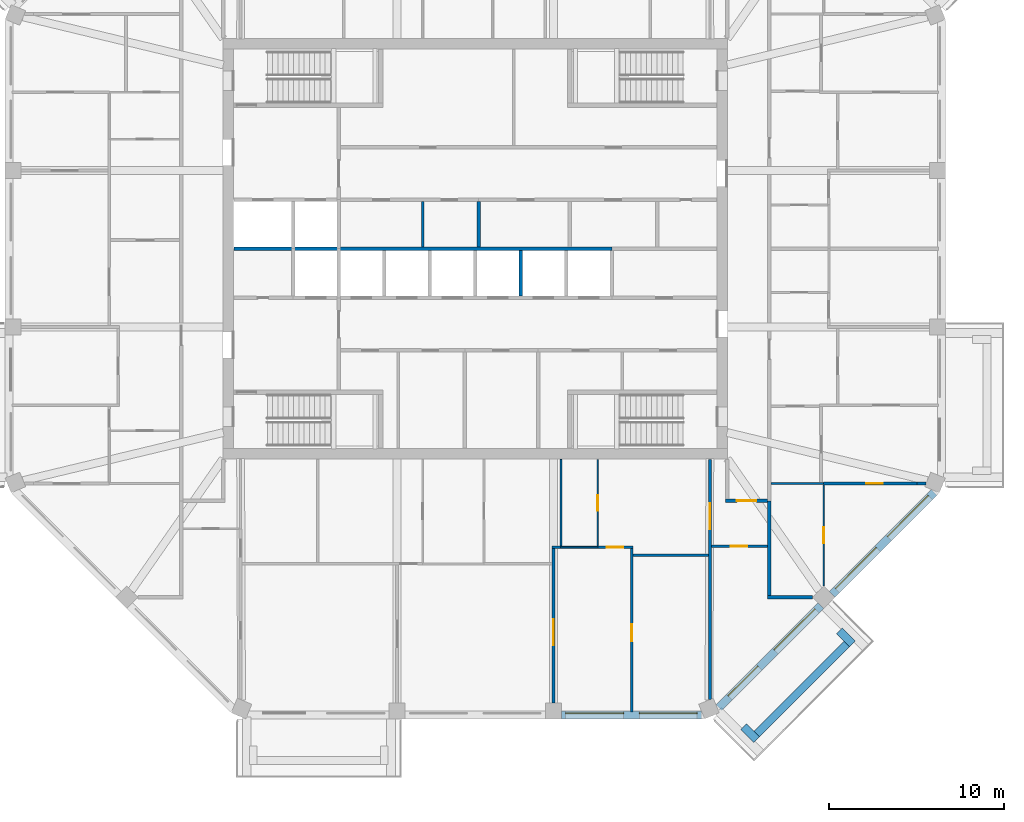
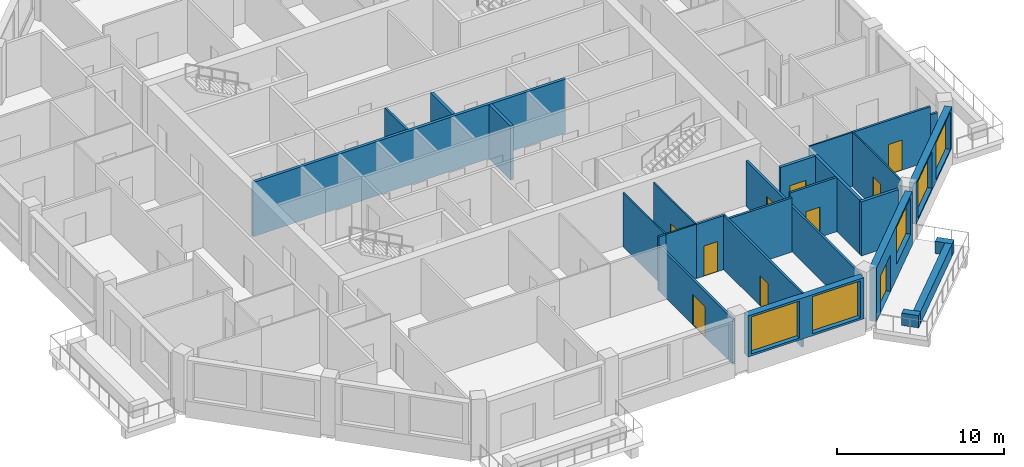
# One storey, part 5 of 11: 27 walls, 10 doors, 5 windows, 15 openings.
"""IFC4 building model written with IfcOpenShell, lengths in metres."""

from ifc_helpers import new_model, si_unit, direction, frame, frame_2d, origin, place, context, subcontext, project, spatial, rectangle, extrude, material, layer, layer_set, type_object, element, fill, save


model = new_model("IFC4")

# Units and contexts
model_context = context("Model", 3, precision=1e-05, world=origin(), true_north=direction((0.0, 1.0)))
body_context = subcontext(model_context, "Body", "Model", "MODEL_VIEW")
ifc_project = project(units=[si_unit("LENGTHUNIT", "METRE"), si_unit("AREAUNIT", "SQUARE_METRE"), si_unit("VOLUMEUNIT", "CUBIC_METRE"), si_unit("PLANEANGLEUNIT", "RADIAN"), si_unit("MASSUNIT", "GRAM", prefix="KILO")], contexts=[model_context])

# Site, building, storey
site_placement = place(None, origin())
site = spatial("IfcSite", under=ifc_project, at=site_placement, CompositionType="ELEMENT")
building_placement = place(site_placement, origin())
building = spatial("IfcBuilding", under=site, at=building_placement, Name="Msitu Wima Residences", CompositionType="ELEMENT")
storey_placement = place(building_placement, frame((0.0, 0.0, 268.5)))
storey = spatial("IfcBuildingStorey", under=building, at=storey_placement, Name="L62", CompositionType="ELEMENT", Elevation=268.5)

# Walls
ifc_material_1 = material(Name="Facing brick")
ifc_layer_1 = layer(ifc_material_1, 0.06494140625, Name="Facing brick")
ifc_material_2 = material(Name="Concrete C40/50", Category="concrete")
ifc_layer_2 = layer(ifc_material_2, 0.156005859375, Name="Concrete C40/50")
ifc_material_3 = material(Name="Waterproofing membrane")
ifc_layer_3 = layer(ifc_material_3, 0.00390625, Name="Waterproofing membrane")
ifc_material_4 = material(Name="Planting soil and planting")
ifc_layer_4 = layer(ifc_material_4, 0.22509765625, Name="Planting soil and planting")
ifc_layer_set_1 = layer_set([ifc_layer_1, ifc_layer_2, ifc_layer_3, ifc_layer_4], Name="Concrete C40/50")
wall_type_1 = type_object("IfcWallType", Name="Balcony planter PLANTER PL450", PredefinedType="USERDEFINED", material=ifc_layer_set_1)
wall_1_placement = place(storey_placement, frame((16.0751953125, -27.725830078125, 0.0), z_axis=(0.0, 0.0, 1.0), x_axis=(0.707106781187, 0.707106781187, 0.0)))
element("IfcWall", 1, at=wall_1_placement, inside=storey, type_object=wall_type_1, Name="Balcony planter SE0 L62", ObjectType="PLANTER", PredefinedType="USERDEFINED", context=body_context, shape_type="SweptSolid", body=[
    extrude(rectangle(XDim=7.288330078125, YDim=0.449951171875, at=frame_2d((3.64404296875, 0.0))), origin(), (0.0, 0.0, 1.0), 0.89990234375),
])
for number, where, z_axis, x_axis, name in (
    (2, (15.332763671875, -27.301513671875, 0.0), (0.0, 0.0, 1.0), (0.707106781187, -0.707106781187, 0.0), "Balcony planter SE0 L62"),
    (3, (20.804443359375, -21.829833984375, 0.0), (0.0, 0.0, 1.0), (0.707106781187, -0.707106781187, 0.0), "Balcony planter SE0 L62"),
):
    element("IfcWall", number, at=place(storey_placement, frame(where, z_axis=z_axis, x_axis=x_axis)), inside=storey, type_object=wall_type_1, Name=name, ObjectType="PLANTER", PredefinedType="USERDEFINED", context=body_context, shape_type="SweptSolid", body=[
        extrude(rectangle(XDim=1.050048828125, YDim=0.449951171875, at=frame_2d((0.52490234375, 0.0))), origin(), (0.0, 0.0, 1.0), 0.89990234375),
    ])

# Wall, openings, windows
ifc_material_5 = material(Name="Brick (red buff mix)", Category="masonry")
ifc_layer_5 = layer(ifc_material_5, 0.449951171875)
ifc_layer_set_2 = layer_set([ifc_layer_5], Name="Brick (red buff mix)")
wall_type_2 = type_object("IfcWallType", Name="Brick infill wall BW450", PredefinedType="SOLIDWALL", material=ifc_layer_set_2)
wall_2_placement = place(storey_placement, frame((4.918701171875, -26.625, 0.89990234375), z_axis=(0.0, 0.0, 1.0), x_axis=(1.0, 0.0, 0.0)))
wall_2 = element("IfcWall", 4, at=wall_2_placement, inside=storey, type_object=wall_type_2, Name="Brick infill wall L62 S2", PredefinedType="SOLIDWALL", context=body_context, shape_type="SweptSolid", body=[
    extrude(rectangle(XDim=8.0, YDim=0.449951171875, at=frame_2d((4.0, 0.0))), origin(), (0.0, 0.0, 1.0), 3.0),
])
opening_1_placement = place(wall_2_placement, frame((0.25, 0.0, 0.14990234375)))
opening_1 = element("IfcOpeningElement", 5, at=opening_1_placement, cuts=wall_2, Name="Opening W60-62.020", PredefinedType="OPENING", context=body_context, shape_type="SweptSolid", body=[
    extrude(rectangle(XDim=3.300048828125, YDim=2.699951171875, at=frame_2d((1.64990234375, 1.35009765625))), frame((0.0, 0.23486328125, 0.0), z_axis=(0.0, -1.0, 0.0), x_axis=(1.0, 0.0, 0.0)), (0.0, 0.0, 1.0), 0.469970703125),
])
opening_2_placement = place(wall_2_placement, frame((4.4501953125, 0.0, 0.14990234375)))
opening_2 = element("IfcOpeningElement", 6, at=opening_2_placement, cuts=wall_2, Name="Opening W60-62.021", PredefinedType="OPENING", context=body_context, shape_type="SweptSolid", body=[
    extrude(rectangle(XDim=3.300048828125, YDim=2.699951171875, at=frame_2d((1.64990234375, 1.35009765625))), frame((0.0, 0.23486328125, 0.0), z_axis=(0.0, -1.0, 0.0), x_axis=(1.0, 0.0, 0.0)), (0.0, 0.0, 1.0), 0.469970703125),
])
ifc_material_6 = material(Name="Anodised aluminium, bronze finish, clear low-emissivity double glazing", Category="aluminium")
window_type = type_object("IfcWindowType", Name="Window W3300x2700", PartitioningType="DOUBLE_PANEL_VERTICAL", PredefinedType="WINDOW", material=ifc_material_6)
window_1_placement = place(opening_1_placement, origin())
window_1 = element("IfcWindow", 7, at=window_1_placement, inside=storey, type_object=window_type, Name="Window L62 S2.1", OverallHeight=2.699951171875, OverallWidth=3.300048828125, PartitioningType="SINGLE_PANEL", PredefinedType="WINDOW", context=body_context, shape_type="SweptSolid", body=[
    extrude(rectangle(XDim=3.300048828125, YDim=2.699951171875, at=frame_2d((1.64990234375, 1.35009765625))), frame((0.0, 0.135009765625, 0.0), z_axis=(0.0, -1.0, 0.0), x_axis=(1.0, 0.0, 0.0)), (0.0, 0.0, 1.0), 0.06005859375),
])
fill(opening_1, window_1)
window_2_placement = place(opening_2_placement, origin())
window_2 = element("IfcWindow", 8, at=window_2_placement, inside=storey, type_object=window_type, Name="Window L62 S2.2", OverallHeight=2.699951171875, OverallWidth=3.300048828125, PartitioningType="SINGLE_PANEL", PredefinedType="WINDOW", context=body_context, shape_type="SweptSolid", body=[
    extrude(rectangle(XDim=3.300048828125, YDim=2.699951171875, at=frame_2d((1.64990234375, 1.35009765625))), frame((0.0, 0.135009765625, 0.0), z_axis=(0.0, -1.0, 0.0), x_axis=(1.0, 0.0, 0.0)), (0.0, 0.0, 1.0), 0.06005859375),
])
fill(opening_2, window_2)

# Wall, openings, door, window
wall_3_placement = place(storey_placement, frame((13.909423828125, -26.214599609375, 0.0), z_axis=(0.0, 0.0, 1.0), x_axis=(0.707106781187, 0.707106781187, 0.0)))
wall_3 = element("IfcWall", 9, at=wall_3_placement, inside=storey, type_object=wall_type_2, Name="Brick infill wall L62 SE0", PredefinedType="SOLIDWALL", context=body_context, shape_type="SweptSolid", body=[
    extrude(rectangle(XDim=8.251220703125, YDim=0.449951171875, at=frame_2d((4.12548828125, 0.0))), origin(), (0.0, 0.0, 1.0), 3.89990234375),
])
opening_3_placement = place(wall_3_placement, frame((0.86279296875, 0.0, 0.0)))
opening_3 = element("IfcOpeningElement", 10, at=opening_3_placement, cuts=wall_3, Name="Opening D60-62.006", PredefinedType="OPENING", context=body_context, shape_type="SweptSolid", body=[
    extrude(rectangle(XDim=2.39990234375, YDim=2.699951171875, at=frame_2d((1.199951171875, 1.35009765625))), frame((0.0, 0.23486328125, 0.0), z_axis=(0.0, -1.0, 0.0), x_axis=(1.0, 0.0, 0.0)), (0.0, 0.0, 1.0), 0.469970703125),
])
opening_4_placement = place(wall_3_placement, frame((4.57568359375, 0.0, 1.050048828125)))
opening_4 = element("IfcOpeningElement", 11, at=opening_4_placement, cuts=wall_3, Name="Opening W60-62.022", PredefinedType="OPENING", context=body_context, shape_type="SweptSolid", body=[
    extrude(rectangle(XDim=3.300048828125, YDim=2.699951171875, at=frame_2d((1.64990234375, 1.35009765625))), frame((0.0, 0.23486328125, 0.0), z_axis=(0.0, -1.0, 0.0), x_axis=(1.0, 0.0, 0.0)), (0.0, 0.0, 1.0), 0.469970703125),
])
door_type_1 = type_object("IfcDoorType", Name="Balcony door D2400x2700", OperationType="SLIDING_TO_LEFT", PredefinedType="DOOR", material=ifc_material_6)
door_1_placement = place(opening_3_placement, origin())
door_1 = element("IfcDoor", 12, at=door_1_placement, inside=storey, type_object=door_type_1, Name="Balcony door L62 SE0", OperationType="SINGLE_SWING_LEFT", OverallHeight=2.699951171875, OverallWidth=2.39990234375, PredefinedType="DOOR", context=body_context, shape_type="SweptSolid", body=[
    extrude(rectangle(XDim=2.39990234375, YDim=2.699951171875, at=frame_2d((1.199951171875, 1.35009765625))), frame((0.0, 0.1298828125, 0.0), z_axis=(0.0, -1.0, 0.0), x_axis=(1.0, 0.0, 0.0)), (0.0, 0.0, 1.0), 0.050048828125),
])
fill(opening_3, door_1)
window_3_placement = place(opening_4_placement, origin())
window_3 = element("IfcWindow", 13, at=window_3_placement, inside=storey, type_object=window_type, Name="Window L62 SE0.2", OverallHeight=2.699951171875, OverallWidth=3.300048828125, PartitioningType="SINGLE_PANEL", PredefinedType="WINDOW", context=body_context, shape_type="SweptSolid", body=[
    extrude(rectangle(XDim=3.300048828125, YDim=2.699951171875, at=frame_2d((1.64990234375, 1.35009765625))), frame((0.0, 0.135009765625, 0.0), z_axis=(0.0, -1.0, 0.0), x_axis=(1.0, 0.0, 0.0)), (0.0, 0.0, 1.0), 0.06005859375),
])
fill(opening_4, window_3)

# Wall, openings, windows
wall_4_placement = place(storey_placement, frame((20.380126953125, -19.743896484375, 0.89990234375), z_axis=(0.0, 0.0, 1.0), x_axis=(0.707106781187, 0.707106781187, 0.0)))
wall_4 = element("IfcWall", 14, at=wall_4_placement, inside=storey, type_object=wall_type_2, Name="Brick infill wall L62 SE1", PredefinedType="SOLIDWALL", context=body_context, shape_type="SweptSolid", body=[
    extrude(rectangle(XDim=8.251220703125, YDim=0.449951171875, at=frame_2d((4.12548828125, 0.0))), origin(), (0.0, 0.0, 1.0), 3.0),
])
opening_5_placement = place(wall_4_placement, frame((0.37548828125, 0.0, 0.14990234375)))
opening_5 = element("IfcOpeningElement", 15, at=opening_5_placement, cuts=wall_4, Name="Opening W60-62.023", PredefinedType="OPENING", context=body_context, shape_type="SweptSolid", body=[
    extrude(rectangle(XDim=3.300048828125, YDim=2.699951171875, at=frame_2d((1.64990234375, 1.35009765625))), frame((0.0, 0.23486328125, 0.0), z_axis=(0.0, -1.0, 0.0), x_axis=(1.0, 0.0, 0.0)), (0.0, 0.0, 1.0), 0.469970703125),
])
opening_6_placement = place(wall_4_placement, frame((4.57568359375, 0.0, 0.14990234375)))
opening_6 = element("IfcOpeningElement", 16, at=opening_6_placement, cuts=wall_4, Name="Opening W60-62.024", PredefinedType="OPENING", context=body_context, shape_type="SweptSolid", body=[
    extrude(rectangle(XDim=3.300048828125, YDim=2.699951171875, at=frame_2d((1.64990234375, 1.35009765625))), frame((0.0, 0.23486328125, 0.0), z_axis=(0.0, -1.0, 0.0), x_axis=(1.0, 0.0, 0.0)), (0.0, 0.0, 1.0), 0.469970703125),
])
window_4_placement = place(opening_5_placement, origin())
window_4 = element("IfcWindow", 17, at=window_4_placement, inside=storey, type_object=window_type, Name="Window L62 SE1.1", OverallHeight=2.699951171875, OverallWidth=3.300048828125, PartitioningType="SINGLE_PANEL", PredefinedType="WINDOW", context=body_context, shape_type="SweptSolid", body=[
    extrude(rectangle(XDim=3.300048828125, YDim=2.699951171875, at=frame_2d((1.64990234375, 1.35009765625))), frame((0.0, 0.135009765625, 0.0), z_axis=(0.0, -1.0, 0.0), x_axis=(1.0, 0.0, 0.0)), (0.0, 0.0, 1.0), 0.06005859375),
])
fill(opening_5, window_4)
window_5_placement = place(opening_6_placement, origin())
window_5 = element("IfcWindow", 18, at=window_5_placement, inside=storey, type_object=window_type, Name="Window L62 SE1.2", OverallHeight=2.699951171875, OverallWidth=3.300048828125, PartitioningType="SINGLE_PANEL", PredefinedType="WINDOW", context=body_context, shape_type="SweptSolid", body=[
    extrude(rectangle(XDim=3.300048828125, YDim=2.699951171875, at=frame_2d((1.64990234375, 1.35009765625))), frame((0.0, 0.135009765625, 0.0), z_axis=(0.0, -1.0, 0.0), x_axis=(1.0, 0.0, 0.0)), (0.0, 0.0, 1.0), 0.06005859375),
])
fill(opening_6, window_5)

# Wall, opening, door
ifc_material_7 = material(Name="Plaster")
ifc_layer_6 = layer(ifc_material_7, 0.011962890625, Name="Plaster")
ifc_material_8 = material(Name="Concrete blockwork", Category="masonry")
ifc_layer_7 = layer(ifc_material_8, 0.176025390625, Name="Concrete blockwork")
ifc_layer_8 = layer(ifc_material_7, 0.011962890625, Name="Plaster")
ifc_layer_set_3 = layer_set([ifc_layer_6, ifc_layer_7, ifc_layer_8], Name="Concrete blockwork")
wall_type_3 = type_object("IfcWallType", Name="Corridor wall FW200", PredefinedType="PARTITIONING", material=ifc_layer_set_3)
wall_5_placement = place(storey_placement, frame((14.300048828125, -14.39990234375, 0.0), z_axis=(0.0, 0.0, 1.0), x_axis=(1.0, 0.0, 0.0)))
wall_5 = element("IfcWall", 19, at=wall_5_placement, inside=storey, type_object=wall_type_3, Name="Corridor wall", PredefinedType="PARTITIONING", context=body_context, shape_type="SweptSolid", body=[
    extrude(rectangle(XDim=2.39990234375, YDim=0.199951171875, at=frame_2d((1.199951171875, 0.0))), origin(), (0.0, 0.0, 1.0), 3.949951171875),
])
opening_7_placement = place(wall_5_placement, frame((0.64990234375, 0.0, 0.0)))
opening_7 = element("IfcOpeningElement", 20, at=opening_7_placement, cuts=wall_5, Name="Opening D60-62.051", PredefinedType="OPENING", context=body_context, shape_type="SweptSolid", body=[
    extrude(rectangle(XDim=1.10009765625, YDim=2.39990234375, at=frame_2d((0.550048828125, 1.199951171875))), frame((0.0, 0.10986328125, 0.0), z_axis=(0.0, -1.0, 0.0), x_axis=(1.0, 0.0, 0.0)), (0.0, 0.0, 1.0), 0.219970703125),
])
ifc_material_9 = material(Name="Timber flush door, fire resisting, self-closing", Category="wood")
door_type_2 = type_object("IfcDoorType", Name="Flat entrance door D01 1100x2400", OperationType="SINGLE_SWING_LEFT", PredefinedType="DOOR", material=ifc_material_9)
door_2_placement = place(opening_7_placement, origin())
door_2 = element("IfcDoor", 21, at=door_2_placement, inside=storey, type_object=door_type_2, Name="Flat entrance door", OperationType="SINGLE_SWING_LEFT", OverallHeight=2.39990234375, OverallWidth=1.10009765625, PredefinedType="DOOR", context=body_context, shape_type="SweptSolid", body=[
    extrude(rectangle(XDim=1.10009765625, YDim=2.39990234375, at=frame_2d((0.550048828125, 1.199951171875))), frame((0.0, 0.02490234375, 0.0), z_axis=(0.0, -1.0, 0.0), x_axis=(1.0, 0.0, 0.0)), (0.0, 0.0, 1.0), 0.050048828125),
])
fill(opening_7, door_2)

# Wall
ifc_layer_9 = layer(ifc_material_7, 0.011962890625, Name="Plaster")
ifc_layer_10 = layer(ifc_material_8, 0.1259765625, Name="Concrete blockwork")
ifc_layer_11 = layer(ifc_material_7, 0.011962890625, Name="Plaster")
ifc_layer_set_4 = layer_set([ifc_layer_9, ifc_layer_10, ifc_layer_11], Name="Concrete blockwork")
wall_type_4 = type_object("IfcWallType", Name="Partition PW150", PredefinedType="PARTITIONING", material=ifc_layer_set_4)
wall_6_placement = place(storey_placement, frame((-3.0, 0.10009765625, 0.0), z_axis=(0.0, 0.0, 1.0), x_axis=(0.0, 1.0, 0.0)))
element("IfcWall", 22, at=wall_6_placement, inside=storey, type_object=wall_type_4, Name="Partition", PredefinedType="PARTITIONING", context=body_context, shape_type="SweptSolid", body=[
    extrude(rectangle(XDim=2.599853515625, YDim=0.14990234375, at=frame_2d((1.2998046875, 0.0))), origin(), (0.0, 0.0, 1.0), 3.949951171875),
])

# Wall, opening, door
wall_7_placement = place(storey_placement, frame((4.46875, -25.949951171875, 0.0), z_axis=(0.0, 0.0, 1.0), x_axis=(0.0, 1.0, 0.0)))
wall_7 = element("IfcWall", 23, at=wall_7_placement, inside=storey, type_object=wall_type_4, Name="Partition", PredefinedType="PARTITIONING", context=body_context, shape_type="SweptSolid", body=[
    extrude(rectangle(XDim=8.824951171875, YDim=0.14990234375, at=frame_2d((4.41259765625, 0.0))), origin(), (0.0, 0.0, 1.0), 3.300048828125),
])
opening_8_placement = place(wall_7_placement, frame((3.300048828125, 0.0, 0.0)))
opening_8 = element("IfcOpeningElement", 24, at=opening_8_placement, cuts=wall_7, Name="Opening D60-62.061", PredefinedType="OPENING", context=body_context, shape_type="SweptSolid", body=[
    extrude(rectangle(XDim=1.5, YDim=2.199951171875, at=frame_2d((0.75, 1.10009765625))), frame((0.0, 0.0849609375, 0.0), z_axis=(0.0, -1.0, 0.0), x_axis=(1.0, 0.0, 0.0)), (0.0, 0.0, 1.0), 0.169921875),
])
ifc_material_10 = material(Name="Timber double door", Category="wood")
door_type_3 = type_object("IfcDoorType", Name="Double door D04 1500x2200", OperationType="DOUBLE_DOOR_SINGLE_SWING", PredefinedType="DOOR", material=ifc_material_10)
door_3_placement = place(opening_8_placement, origin())
door_3 = element("IfcDoor", 25, at=door_3_placement, inside=storey, type_object=door_type_3, Name="Double door", OperationType="DOUBLE_DOOR_SINGLE_SWING", OverallHeight=2.199951171875, OverallWidth=1.5, PredefinedType="DOOR", context=body_context, shape_type="SweptSolid", body=[
    extrude(rectangle(XDim=1.5, YDim=2.199951171875, at=frame_2d((0.75, 1.10009765625))), frame((0.0, 0.02490234375, 0.0), z_axis=(0.0, -1.0, 0.0), x_axis=(1.0, 0.0, 0.0)), (0.0, 0.0, 1.0), 0.050048828125),
])
fill(opening_8, door_3)

# Wall
wall_8_placement = place(storey_placement, frame((4.3935546875, -17.050048828125, 0.0), z_axis=(0.0, 0.0, 1.0), x_axis=(1.0, 0.0, 0.0)))
element("IfcWall", 26, at=wall_8_placement, inside=storey, type_object=wall_type_4, Name="Partition", PredefinedType="PARTITIONING", context=body_context, shape_type="SweptSolid", body=[
    extrude(rectangle(XDim=0.486328125, YDim=0.14990234375, at=frame_2d((0.2431640625, 0.0))), origin(), (0.0, 0.0, 1.0), 3.949951171875),
])

# Wall, opening, door
wall_9_placement = place(storey_placement, frame((7.0, -17.050048828125, 0.0), z_axis=(0.0, 0.0, 1.0), x_axis=(1.0, 0.0, 0.0)))
wall_9 = element("IfcWall", 27, at=wall_9_placement, inside=storey, type_object=wall_type_4, Name="Partition", PredefinedType="PARTITIONING", context=body_context, shape_type="SweptSolid", body=[
    extrude(rectangle(XDim=2.01220703125, YDim=0.14990234375, at=frame_2d((1.006103515625, 0.0))), origin(), (0.0, 0.0, 1.0), 3.949951171875),
])
opening_9_placement = place(wall_9_placement, frame((0.5, 0.0, 0.0)))
opening_9 = element("IfcOpeningElement", 28, at=opening_9_placement, cuts=wall_9, Name="Opening D60-62.057", PredefinedType="OPENING", context=body_context, shape_type="SweptSolid", body=[
    extrude(rectangle(XDim=0.949951171875, YDim=2.199951171875, at=frame_2d((0.47509765625, 1.10009765625))), frame((0.0, 0.0849609375, 0.0), z_axis=(0.0, -1.0, 0.0), x_axis=(1.0, 0.0, 0.0)), (0.0, 0.0, 1.0), 0.169921875),
])
ifc_material_11 = material(Name="Timber flush door", Category="wood")
door_type_4 = type_object("IfcDoorType", Name="Room door D12 950x2200", OperationType="SINGLE_SWING_LEFT", PredefinedType="DOOR", material=ifc_material_11)
door_4_placement = place(opening_9_placement, origin())
door_4 = element("IfcDoor", 29, at=door_4_placement, inside=storey, type_object=door_type_4, Name="Room door", OperationType="SINGLE_SWING_LEFT", OverallHeight=2.199951171875, OverallWidth=0.949951171875, PredefinedType="DOOR", context=body_context, shape_type="SweptSolid", body=[
    extrude(rectangle(XDim=0.949951171875, YDim=2.199951171875, at=frame_2d((0.47509765625, 1.10009765625))), frame((0.0, 0.02490234375, 0.0), z_axis=(0.0, -1.0, 0.0), x_axis=(1.0, 0.0, 0.0)), (0.0, 0.0, 1.0), 0.050048828125),
])
fill(opening_9, door_4)

wall_10_placement = place(storey_placement, frame((8.937255859375, -26.455078125, 0.0), z_axis=(0.0, 0.0, 1.0), x_axis=(0.0, 1.0, 0.0)))
wall_10 = element("IfcWall", 30, at=wall_10_placement, inside=storey, type_object=wall_type_4, Name="Partition", PredefinedType="PARTITIONING", context=body_context, shape_type="SweptSolid", body=[
    extrude(rectangle(XDim=9.330078125, YDim=0.14990234375, at=frame_2d((4.6650390625, 0.0))), origin(), (0.0, 0.0, 1.0), 3.949951171875),
])
opening_10_placement = place(wall_10_placement, frame((4.050048828125, 0.0, 0.0)))
opening_10 = element("IfcOpeningElement", 31, at=opening_10_placement, cuts=wall_10, Name="Opening D60-62.058", PredefinedType="OPENING", context=body_context, shape_type="SweptSolid", body=[
    extrude(rectangle(XDim=0.949951171875, YDim=2.199951171875, at=frame_2d((0.47509765625, 1.10009765625))), frame((0.0, 0.0849609375, 0.0), z_axis=(0.0, -1.0, 0.0), x_axis=(1.0, 0.0, 0.0)), (0.0, 0.0, 1.0), 0.169921875),
])
door_5_placement = place(opening_10_placement, origin())
door_5 = element("IfcDoor", 32, at=door_5_placement, inside=storey, type_object=door_type_4, Name="Room door", OperationType="SINGLE_SWING_LEFT", OverallHeight=2.199951171875, OverallWidth=0.949951171875, PredefinedType="DOOR", context=body_context, shape_type="SweptSolid", body=[
    extrude(rectangle(XDim=0.949951171875, YDim=2.199951171875, at=frame_2d((0.47509765625, 1.10009765625))), frame((0.0, 0.02490234375, 0.0), z_axis=(0.0, -1.0, 0.0), x_axis=(1.0, 0.0, 0.0)), (0.0, 0.0, 1.0), 0.050048828125),
])
fill(opening_10, door_5)

# Wall
wall_11_placement = place(storey_placement, frame((9.01220703125, -17.5, 0.0), z_axis=(0.0, 0.0, 1.0), x_axis=(1.0, 0.0, 0.0)))
element("IfcWall", 33, at=wall_11_placement, inside=storey, type_object=wall_type_4, Name="Partition", PredefinedType="PARTITIONING", context=body_context, shape_type="SweptSolid", body=[
    extrude(rectangle(XDim=4.318603515625, YDim=0.14990234375, at=frame_2d((2.1591796875, 0.0))), origin(), (0.0, 0.0, 1.0), 3.949951171875),
])

# Wall, opening, door
wall_12_placement = place(storey_placement, frame((13.406005859375, -25.731201171875, 0.0), z_axis=(0.0, 0.0, 1.0), x_axis=(0.0, 1.0, 0.0)))
wall_12 = element("IfcWall", 34, at=wall_12_placement, inside=storey, type_object=wall_type_4, Name="Partition", PredefinedType="PARTITIONING", context=body_context, shape_type="SweptSolid", body=[
    extrude(rectangle(XDim=13.701171875, YDim=0.14990234375, at=frame_2d((6.8505859375, 0.0))), origin(), (0.0, 0.0, 1.0), 3.300048828125),
])
opening_11_placement = place(wall_12_placement, frame((9.699951171875, 0.0, 0.0)))
opening_11 = element("IfcOpeningElement", 35, at=opening_11_placement, cuts=wall_12, Name="Opening D60-62.052", PredefinedType="OPENING", context=body_context, shape_type="SweptSolid", body=[
    extrude(rectangle(XDim=1.5, YDim=2.199951171875, at=frame_2d((0.75, 1.10009765625))), frame((0.0, 0.0849609375, 0.0), z_axis=(0.0, -1.0, 0.0), x_axis=(1.0, 0.0, 0.0)), (0.0, 0.0, 1.0), 0.169921875),
])
door_6_placement = place(opening_11_placement, origin())
door_6 = element("IfcDoor", 36, at=door_6_placement, inside=storey, type_object=door_type_3, Name="Double door", OperationType="DOUBLE_DOOR_SINGLE_SWING", OverallHeight=2.199951171875, OverallWidth=1.5, PredefinedType="DOOR", context=body_context, shape_type="SweptSolid", body=[
    extrude(rectangle(XDim=1.5, YDim=2.199951171875, at=frame_2d((0.75, 1.10009765625))), frame((0.0, 0.02490234375, 0.0), z_axis=(0.0, -1.0, 0.0), x_axis=(1.0, 0.0, 0.0)), (0.0, 0.0, 1.0), 0.050048828125),
])
fill(opening_11, door_6)

wall_13_placement = place(storey_placement, frame((13.48095703125, -17.0, 0.0), z_axis=(0.0, 0.0, 1.0), x_axis=(1.0, 0.0, 0.0)))
wall_13 = element("IfcWall", 37, at=wall_13_placement, inside=storey, type_object=wall_type_4, Name="Partition", PredefinedType="PARTITIONING", context=body_context, shape_type="SweptSolid", body=[
    extrude(rectangle(XDim=3.218994140625, YDim=0.14990234375, at=frame_2d((1.609375, 0.0))), origin(), (0.0, 0.0, 1.0), 3.949951171875),
])
opening_12_placement = place(wall_13_placement, frame((1.10009765625, 0.0, 0.0)))
opening_12 = element("IfcOpeningElement", 38, at=opening_12_placement, cuts=wall_13, Name="Opening D60-62.059", PredefinedType="OPENING", context=body_context, shape_type="SweptSolid", body=[
    extrude(rectangle(XDim=0.949951171875, YDim=2.199951171875, at=frame_2d((0.47509765625, 1.10009765625))), frame((0.0, 0.0849609375, 0.0), z_axis=(0.0, -1.0, 0.0), x_axis=(1.0, 0.0, 0.0)), (0.0, 0.0, 1.0), 0.169921875),
])
door_7_placement = place(opening_12_placement, origin())
door_7 = element("IfcDoor", 39, at=door_7_placement, inside=storey, type_object=door_type_4, Name="Room door", OperationType="SINGLE_SWING_RIGHT", OverallHeight=2.199951171875, OverallWidth=0.949951171875, PredefinedType="DOOR", context=body_context, shape_type="SweptSolid", body=[
    extrude(rectangle(XDim=0.949951171875, YDim=2.199951171875, at=frame_2d((0.47509765625, 1.10009765625))), frame((0.0, 0.02490234375, 0.0), z_axis=(0.0, -1.0, 0.0), x_axis=(1.0, 0.0, 0.0)), (0.0, 0.0, 1.0), 0.050048828125),
])
fill(opening_12, door_7)

wall_14_placement = place(storey_placement, frame((19.883056640625, -13.406005859375, 0.0), z_axis=(0.0, 0.0, 1.0), x_axis=(1.0, 0.0, 0.0)))
wall_14 = element("IfcWall", 40, at=wall_14_placement, inside=storey, type_object=wall_type_4, Name="Partition", PredefinedType="PARTITIONING", context=body_context, shape_type="SweptSolid", body=[
    extrude(rectangle(XDim=5.341064453125, YDim=0.14990234375, at=frame_2d((2.67041015625, 0.0))), origin(), (0.0, 0.0, 1.0), 3.949951171875),
])
opening_13_placement = place(wall_14_placement, frame((2.449951171875, 0.0, 0.0)))
opening_13 = element("IfcOpeningElement", 41, at=opening_13_placement, cuts=wall_14, Name="Opening D60-62.014", PredefinedType="OPENING", context=body_context, shape_type="SweptSolid", body=[
    extrude(rectangle(XDim=0.949951171875, YDim=2.199951171875, at=frame_2d((0.47509765625, 1.10009765625))), frame((0.0, 0.0849609375, 0.0), z_axis=(0.0, -1.0, 0.0), x_axis=(1.0, 0.0, 0.0)), (0.0, 0.0, 1.0), 0.169921875),
])
door_8_placement = place(opening_13_placement, origin())
door_8 = element("IfcDoor", 42, at=door_8_placement, inside=storey, type_object=door_type_4, Name="Room door", OperationType="SINGLE_SWING_LEFT", OverallHeight=2.199951171875, OverallWidth=0.949951171875, PredefinedType="DOOR", context=body_context, shape_type="SweptSolid", body=[
    extrude(rectangle(XDim=0.949951171875, YDim=2.199951171875, at=frame_2d((0.47509765625, 1.10009765625))), frame((0.0, 0.02490234375, 0.0), z_axis=(0.0, -1.0, 0.0), x_axis=(1.0, 0.0, 0.0)), (0.0, 0.0, 1.0), 0.050048828125),
])
fill(opening_13, door_8)

# Walls
wall_15_placement = place(storey_placement, frame((25.22412109375, -13.406005859375, 0.0), z_axis=(0.0, 0.0, 1.0), x_axis=(1.0, 0.0, 0.0)))
element("IfcWall", 43, at=wall_15_placement, inside=storey, type_object=wall_type_4, Name="Partition", PredefinedType="PARTITIONING", context=body_context, shape_type="SweptSolid", body=[
    extrude(rectangle(XDim=0.507080078125, YDim=0.14990234375, at=frame_2d((0.25341796875, 0.0))), origin(), (0.0, 0.0, 1.0), 3.35009765625),
])
ifc_layer_12 = layer(ifc_material_7, 0.011962890625, Name="Plaster")
ifc_material_12 = material(Name="Dense concrete blockwork", Category="masonry")
ifc_layer_13 = layer(ifc_material_12, 0.176025390625, Name="Dense concrete blockwork")
ifc_layer_14 = layer(ifc_material_7, 0.011962890625, Name="Plaster")
ifc_layer_set_5 = layer_set([ifc_layer_12, ifc_layer_13, ifc_layer_14], Name="Dense concrete blockwork")
wall_type_5 = type_object("IfcWallType", Name="Party wall PW200", PredefinedType="PARTITIONING", material=ifc_layer_set_5)
wall_16_placement = place(storey_placement, frame((16.800048828125, -19.802978515625, 0.0), z_axis=(0.0, 0.0, 1.0), x_axis=(0.0, 1.0, 0.0)))
element("IfcWall", 44, at=wall_16_placement, inside=storey, type_object=wall_type_5, Name="Party wall", PredefinedType="PARTITIONING", context=body_context, shape_type="SweptSolid", body=[
    extrude(rectangle(XDim=5.403076171875, YDim=0.199951171875, at=frame_2d((2.70166015625, 0.0))), origin(), (0.0, 0.0, 1.0), 3.949951171875),
])
wall_17_placement = place(storey_placement, frame((16.699951171875, -19.90283203125, 0.0), z_axis=(0.0, 0.0, 1.0), x_axis=(1.0, 0.0, 0.0)))
element("IfcWall", 45, at=wall_17_placement, inside=storey, type_object=wall_type_5, Name="Party wall", PredefinedType="PARTITIONING", context=body_context, shape_type="SweptSolid", body=[
    extrude(rectangle(XDim=2.566650390625, YDim=0.199951171875, at=frame_2d((1.283203125, 0.0))), origin(), (0.0, 0.0, 1.0), 3.949951171875),
])
ifc_layer_15 = layer(ifc_material_7, 0.011962890625, Name="Plaster")
ifc_material_13 = material(Name="Reinforced concrete blockwork", Category="masonry")
ifc_layer_16 = layer(ifc_material_13, 0.176025390625, Name="Reinforced concrete blockwork")
ifc_layer_17 = layer(ifc_material_7, 0.011962890625, Name="Plaster")
ifc_layer_set_6 = layer_set([ifc_layer_15, ifc_layer_16, ifc_layer_17], Name="Reinforced concrete blockwork")
wall_type_6 = type_object("IfcWallType", Name="Plant and riser wall PL200", PredefinedType="PARTITIONING", material=ifc_layer_set_6)
wall_18_placement = place(storey_placement, frame((0.199951171875, 0.10009765625, 0.0), z_axis=(0.0, 0.0, 1.0), x_axis=(0.0, 1.0, 0.0)))
element("IfcWall", 46, at=wall_18_placement, inside=storey, type_object=wall_type_6, Name="Plant and riser wall", PredefinedType="PARTITIONING", context=body_context, shape_type="SweptSolid", body=[
    extrude(rectangle(XDim=2.599853515625, YDim=0.199951171875, at=frame_2d((1.2998046875, 0.0))), origin(), (0.0, 0.0, 1.0), 3.949951171875),
])
ifc_material_14 = material(Name="Fire-rated board")
ifc_layer_18 = layer(ifc_material_14, 0.02490234375, Name="Fire-rated board")
ifc_material_15 = material(Name="Light-gauge stud framing with mineral wool")
ifc_layer_19 = layer(ifc_material_15, 0.14990234375, Name="Light-gauge stud framing with mineral wool")
ifc_layer_20 = layer(ifc_material_14, 0.02490234375, Name="Fire-rated board")
ifc_layer_set_7 = layer_set([ifc_layer_18, ifc_layer_19, ifc_layer_20], Name="Light-gauge stud framing with mineral wool")
wall_type_7 = type_object("IfcWallType", Name="Shaft wall SH200", PredefinedType="PARTITIONING", material=ifc_layer_set_7)
wall_19_placement = place(storey_placement, frame((-13.77001953125, 0.0, 0.0), z_axis=(0.0, 0.0, 1.0), x_axis=(1.0, 0.0, 0.0)))
element("IfcWall", 47, at=wall_19_placement, inside=storey, type_object=wall_type_7, Name="Shaft wall", PredefinedType="PARTITIONING", context=body_context, shape_type="SweptSolid", body=[
    extrude(rectangle(XDim=21.570068359375, YDim=0.199951171875, at=frame_2d((10.78515625, 0.0))), origin(), (0.0, 0.0, 1.0), 3.949951171875),
])
wall_20_placement = place(storey_placement, frame((2.60009765625, -2.699951171875, 0.0), z_axis=(0.0, 0.0, 1.0), x_axis=(0.0, 1.0, 0.0)))
element("IfcWall", 48, at=wall_20_placement, inside=storey, type_object=wall_type_7, Name="Shaft wall", PredefinedType="PARTITIONING", context=body_context, shape_type="SweptSolid", body=[
    extrude(rectangle(XDim=2.599853515625, YDim=0.199951171875, at=frame_2d((1.2998046875, 0.0))), origin(), (0.0, 0.0, 1.0), 3.949951171875),
])
ifc_material_16 = material(Name="Ceramic tiles")
ifc_layer_21 = layer(ifc_material_16, 0.008056640625, Name="Ceramic tiles")
ifc_material_17 = material(Name="Moisture-resistant board")
ifc_layer_22 = layer(ifc_material_17, 0.012451171875, Name="Moisture-resistant board")
ifc_layer_23 = layer(ifc_material_15, 0.06689453125, Name="Light-gauge stud framing with mineral wool")
ifc_layer_24 = layer(ifc_material_17, 0.012451171875, Name="Moisture-resistant board")
ifc_layer_set_8 = layer_set([ifc_layer_21, ifc_layer_22, ifc_layer_23, ifc_layer_24], Name="Light-gauge stud framing with mineral wool")
wall_type_8 = type_object("IfcWallType", Name="Wet wall PW100", PredefinedType="PARTITIONING", material=ifc_layer_set_8)
wall_21_placement = place(storey_placement, frame((4.8798828125, -17.050048828125, 0.0), z_axis=(0.0, 0.0, 1.0), x_axis=(1.0, 0.0, 0.0)))
element("IfcWall", 49, at=wall_21_placement, inside=storey, type_object=wall_type_8, Name="Wet wall", PredefinedType="PARTITIONING", context=body_context, shape_type="SweptSolid", body=[
    extrude(rectangle(XDim=2.1201171875, YDim=0.10009765625, at=frame_2d((1.06005859375, 0.0))), origin(), (0.0, 0.0, 1.0), 3.949951171875),
])
wall_22_placement = place(storey_placement, frame((4.89990234375, -16.97509765625, 0.0), z_axis=(0.0, 0.0, 1.0), x_axis=(0.0, 1.0, 0.0)))
element("IfcWall", 50, at=wall_22_placement, inside=storey, type_object=wall_type_8, Name="Wet wall", PredefinedType="PARTITIONING", context=body_context, shape_type="SweptSolid", body=[
    extrude(rectangle(XDim=4.945068359375, YDim=0.10009765625, at=frame_2d((2.47265625, 0.0))), origin(), (0.0, 0.0, 1.0), 3.949951171875),
])

# Wall, opening, door
wall_23_placement = place(storey_placement, frame((7.0, -16.97509765625, 0.0), z_axis=(0.0, 0.0, 1.0), x_axis=(0.0, 1.0, 0.0)))
wall_23 = element("IfcWall", 51, at=wall_23_placement, inside=storey, type_object=wall_type_8, Name="Wet wall", PredefinedType="PARTITIONING", context=body_context, shape_type="SweptSolid", body=[
    extrude(rectangle(XDim=4.945068359375, YDim=0.10009765625, at=frame_2d((2.47265625, 0.0))), origin(), (0.0, 0.0, 1.0), 3.949951171875),
])
opening_14_placement = place(wall_23_placement, frame((2.0, 0.0, 0.0)))
opening_14 = element("IfcOpeningElement", 52, at=opening_14_placement, cuts=wall_23, Name="Opening D60-62.060", PredefinedType="OPENING", context=body_context, shape_type="SweptSolid", body=[
    extrude(rectangle(XDim=0.89990234375, YDim=2.199951171875, at=frame_2d((0.449951171875, 1.10009765625))), frame((0.0, 0.06005859375, 0.0), z_axis=(0.0, -1.0, 0.0), x_axis=(1.0, 0.0, 0.0)), (0.0, 0.0, 1.0), 0.1201171875),
])
ifc_material_18 = material(Name="Timber flush door, moisture resistant", Category="wood")
door_type_5 = type_object("IfcDoorType", Name="Bathroom door D03 900x2200", OperationType="SINGLE_SWING_LEFT", PredefinedType="DOOR", material=ifc_material_18)
door_9_placement = place(opening_14_placement, origin())
door_9 = element("IfcDoor", 53, at=door_9_placement, inside=storey, type_object=door_type_5, Name="Bathroom door", OperationType="SINGLE_SWING_LEFT", OverallHeight=2.199951171875, OverallWidth=0.89990234375, PredefinedType="DOOR", context=body_context, shape_type="SweptSolid", body=[
    extrude(rectangle(XDim=0.89990234375, YDim=2.199951171875, at=frame_2d((0.449951171875, 1.10009765625))), frame((0.0, 0.02490234375, 0.0), z_axis=(0.0, -1.0, 0.0), x_axis=(1.0, 0.0, 0.0)), (0.0, 0.0, 1.0), 0.050048828125),
])
fill(opening_14, door_9)

# Wall
wall_24_placement = place(storey_placement, frame((16.89990234375, -13.406005859375, 0.0), z_axis=(0.0, 0.0, 1.0), x_axis=(1.0, 0.0, 0.0)))
element("IfcWall", 54, at=wall_24_placement, inside=storey, type_object=wall_type_8, Name="Wet wall", PredefinedType="PARTITIONING", context=body_context, shape_type="SweptSolid", body=[
    extrude(rectangle(XDim=2.983154296875, YDim=0.10009765625, at=frame_2d((1.49169921875, 0.0))), origin(), (0.0, 0.0, 1.0), 3.949951171875),
])

# Wall, opening, door
wall_25_placement = place(storey_placement, frame((19.90283203125, -19.2666015625, 0.0), z_axis=(0.0, 0.0, 1.0), x_axis=(0.0, 1.0, 0.0)))
wall_25 = element("IfcWall", 55, at=wall_25_placement, inside=storey, type_object=wall_type_8, Name="Wet wall", PredefinedType="PARTITIONING", context=body_context, shape_type="SweptSolid", body=[
    extrude(rectangle(XDim=5.78564453125, YDim=0.10009765625, at=frame_2d((2.892822265625, 0.0))), origin(), (0.0, 0.0, 1.0), 3.949951171875),
])
opening_15_placement = place(wall_25_placement, frame((2.449951171875, 0.0, 0.0)))
opening_15 = element("IfcOpeningElement", 56, at=opening_15_placement, cuts=wall_25, Name="Opening D60-62.015", PredefinedType="OPENING", context=body_context, shape_type="SweptSolid", body=[
    extrude(rectangle(XDim=0.89990234375, YDim=2.199951171875, at=frame_2d((0.449951171875, 1.10009765625))), frame((0.0, 0.06005859375, 0.0), z_axis=(0.0, -1.0, 0.0), x_axis=(1.0, 0.0, 0.0)), (0.0, 0.0, 1.0), 0.1201171875),
])
door_10_placement = place(opening_15_placement, origin())
door_10 = element("IfcDoor", 57, at=door_10_placement, inside=storey, type_object=door_type_5, Name="Bathroom door", OperationType="SINGLE_SWING_RIGHT", OverallHeight=2.199951171875, OverallWidth=0.89990234375, PredefinedType="DOOR", context=body_context, shape_type="SweptSolid", body=[
    extrude(rectangle(XDim=0.89990234375, YDim=2.199951171875, at=frame_2d((0.449951171875, 1.10009765625))), frame((0.0, 0.02490234375, 0.0), z_axis=(0.0, -1.0, 0.0), x_axis=(1.0, 0.0, 0.0)), (0.0, 0.0, 1.0), 0.050048828125),
])
fill(opening_15, door_10)

save(model, "model.ifc")
